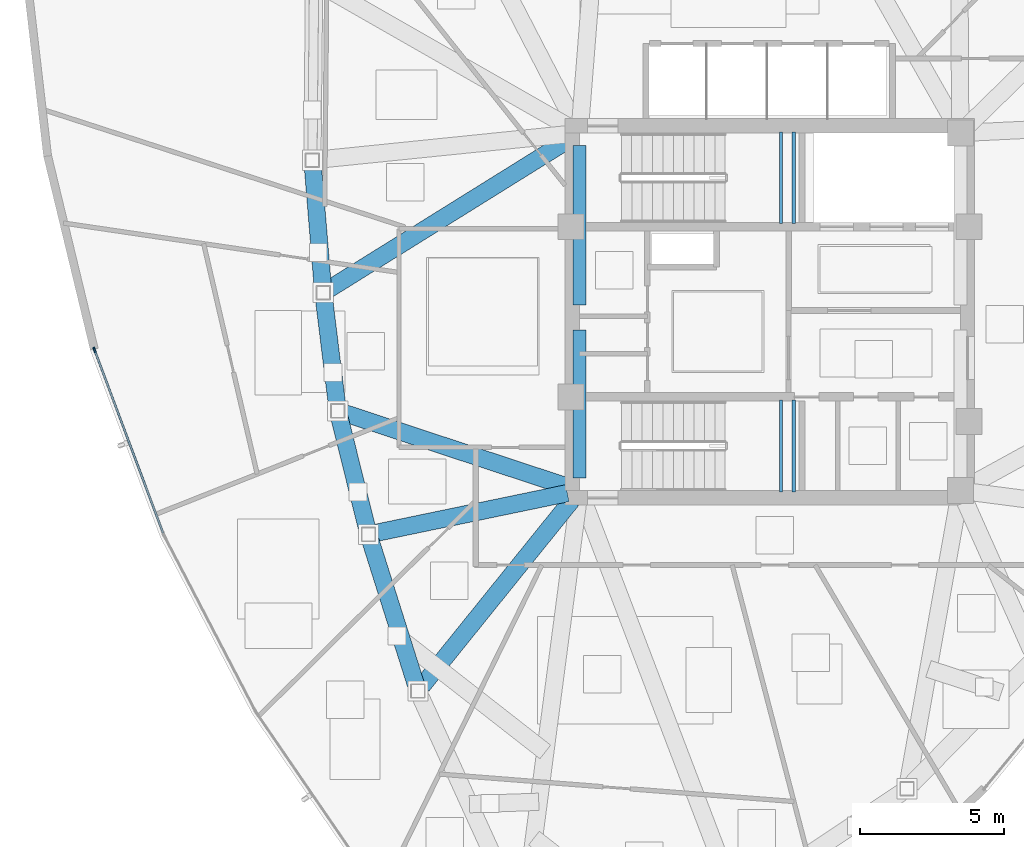
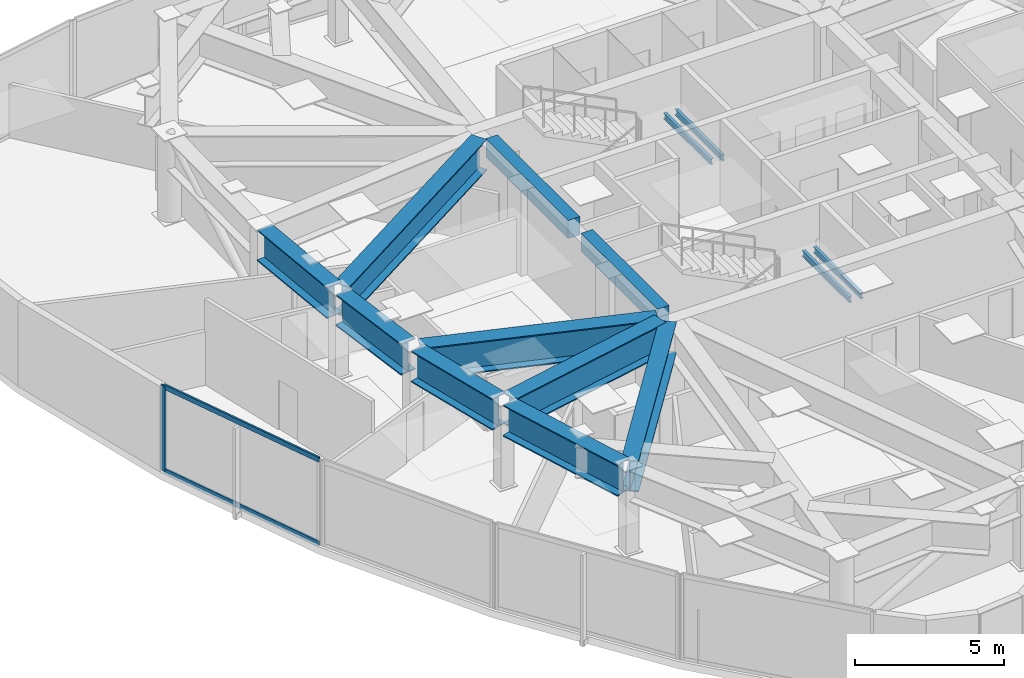
# One storey, part 3 of 13: 14 beams, 3 members, 1 element without a shape of its own.
"""IFC4 building model written with IfcOpenShell, lengths in metres."""

from ifc_helpers import new_model, si_unit, direction, frame, origin, origin_2d, place, context, subcontext, project, spatial, rectangle, hollow_rectangle, i_section, extrude, source, transform, mapped, material, layer, layer_set, material_profile, profile_set, type_object, type_shapes, element, aggregate, save


model = new_model("IFC4")

# Units and contexts
model_context = context("Model", 3, precision=1e-05, world=origin(), true_north=direction((0.0, 1.0)))
body_context = subcontext(model_context, "Body", "Model", "MODEL_VIEW")
ifc_project = project(units=[si_unit("LENGTHUNIT", "METRE"), si_unit("AREAUNIT", "SQUARE_METRE"), si_unit("VOLUMEUNIT", "CUBIC_METRE"), si_unit("PLANEANGLEUNIT", "RADIAN"), si_unit("MASSUNIT", "GRAM", prefix="KILO")], contexts=[model_context])

# Site, building, storey
site_placement = place(None, origin())
site = spatial("IfcSite", under=ifc_project, at=site_placement, CompositionType="ELEMENT")
building_placement = place(site_placement, origin())
building = spatial("IfcBuilding", under=site, at=building_placement, Name="Tavelor Broadcast Tower", CompositionType="ELEMENT")
storey_placement = place(building_placement, frame((0.0, 0.0, 269.550048828125)))
storey = spatial("IfcBuildingStorey", under=building, at=storey_placement, Name="L64", CompositionType="ELEMENT", Elevation=269.550048828125)

# Beams
ifc_material_1 = material(Name="Concrete C40/50", Category="concrete")
ifc_material_profile_1 = material_profile(ifc_material_1, rectangle(XDim=0.449951171875, YDim=0.75, at=origin_2d()), Name="RC 450x750")
ifc_profile_set_1 = profile_set([ifc_material_profile_1], Name="Concrete C40/50")
beam_type_1 = type_object("IfcBeamType", Name="Basement Core Trim Beam 450x750", PredefinedType="BEAM", material=ifc_profile_set_1)
beam_1_placement = place(storey_placement, frame((43.39990234375, 45.23193359375, 3.125), z_axis=(0.0, 1.0, 0.0), x_axis=(-1.0, 0.0, 0.0)))
element("IfcBeam", 1, at=beam_1_placement, inside=storey, type_object=beam_type_1, Name="L64 Core West-N Tie Girder", PredefinedType="BEAM", context=body_context, shape_type="SweptSolid", body=[
    extrude(rectangle(XDim=0.449951171875, YDim=0.75, at=origin_2d()), origin(), (0.0, 0.0, 1.0), 5.5361328125),
])
beam_2_placement = place(storey_placement, frame((43.39990234375, 39.23193359375, 3.125), z_axis=(0.0, 1.0, 0.0), x_axis=(-1.0, 0.0, 0.0)))
element("IfcBeam", 2, at=beam_2_placement, inside=storey, type_object=beam_type_1, Name="L64 Core West-S Tie Girder", PredefinedType="BEAM", context=body_context, shape_type="SweptSolid", body=[
    extrude(rectangle(XDim=0.449951171875, YDim=0.75, at=origin_2d()), origin(), (0.0, 0.0, 1.0), 5.135986328125),
])
ifc_material_2 = material(Name="Steel S355", Category="steel")
ifc_material_profile_2 = material_profile(ifc_material_2, i_section(OverallWidth=0.1201171875, OverallDepth=0.239990234375, WebThickness=0.006103515625, FlangeThickness=0.009765625, at=origin_2d()), Name="IPE 240")
ifc_profile_set_2 = profile_set([ifc_material_profile_2], Name="Steel S355")
beam_type_2 = type_object("IfcBeamType", Name="Stairwell Landing Support Trimmer Beam IPE240", PredefinedType="BEAM", material=ifc_profile_set_2)
for number, where, z_axis, x_axis, name in (
    (3, (50.385009765625, 48.06005859375, 1.659912109375), (0.0, 1.0, 0.0), (-1.0, 0.0, 0.0), "L64 Stair Landing Support Beam 169"),
    (4, (50.824951171875, 48.06005859375, 1.659912109375), (0.0, 1.0, 0.0), (-1.0, 0.0, 0.0), "L64 Stair Landing Support Beam 170"),
    (5, (50.385009765625, 38.760009765625, 1.659912109375), (0.0, 1.0, 0.0), (-1.0, 0.0, 0.0), "L64 Stair Landing Support Beam 383"),
    (6, (50.824951171875, 38.760009765625, 1.659912109375), (0.0, 1.0, 0.0), (-1.0, 0.0, 0.0), "L64 Stair Landing Support Beam 384"),
):
    element("IfcBeam", number, at=place(storey_placement, frame(where, z_axis=z_axis, x_axis=x_axis)), inside=storey, type_object=beam_type_2, Name=name, PredefinedType="BEAM", context=body_context, shape_type="SweptSolid", body=[
        extrude(i_section(OverallWidth=0.1201171875, OverallDepth=0.239990234375, WebThickness=0.006103515625, FlangeThickness=0.009765625, at=origin_2d()), origin(), (0.0, 0.0, 1.0), 3.179931640625),
    ])
ifc_material_3 = material(Name="Steel S460", Category="steel")
ifc_material_profile_3 = material_profile(ifc_material_3, i_section(OverallWidth=0.60009765625, OverallDepth=1.280029296875, WebThickness=0.02587890625, FlangeThickness=0.044921875, at=origin_2d()), Name="PG 1280x600")
ifc_profile_set_3 = profile_set([ifc_material_profile_3], Name="Steel S460")
beam_type_3 = type_object("IfcBeamType", Name="Upper Setback Transfer Girder PG1350", PredefinedType="BEAM", material=ifc_profile_set_3)
beam_3_placement = place(storey_placement, frame((34.15673828125, 50.0166015625, 2.85986328125), z_axis=(0.081762604382, -0.996651833152, 0.0), x_axis=(0.996651833152, 0.081762604382, 0.0)))
element("IfcBeam", 7, at=beam_3_placement, inside=storey, type_object=beam_type_3, Name="L64 Framed-Tube Ring Spandrel 02", PredefinedType="BEAM", context=body_context, shape_type="SweptSolid", body=[
    extrude(i_section(OverallWidth=0.60009765625, OverallDepth=1.280029296875, WebThickness=0.02587890625, FlangeThickness=0.044921875, at=origin_2d()), origin(), (0.0, 0.0, 1.0), 4.126708984375),
])
beam_4_placement = place(storey_placement, frame((34.54296875, 45.42626953125, 2.85986328125), z_axis=(0.122281853392, -0.992495414766, 0.0), x_axis=(0.992495414766, 0.122281853392, 0.0)))
element("IfcBeam", 8, at=beam_4_placement, inside=storey, type_object=beam_type_3, Name="L64 Framed-Tube Ring Spandrel 03", PredefinedType="BEAM", context=body_context, shape_type="SweptSolid", body=[
    extrude(i_section(OverallWidth=0.60009765625, OverallDepth=1.280029296875, WebThickness=0.02587890625, FlangeThickness=0.044921875, at=origin_2d()), origin(), (0.0, 0.0, 1.0), 3.651611328125),
])
beam_5_placement = place(storey_placement, frame((35.076904296875, 41.3310546875, 2.85986328125), z_axis=(0.241279026366, -0.97045578541, 0.0), x_axis=(0.97045578541, 0.241279026366, 0.0)))
element("IfcBeam", 9, at=beam_5_placement, inside=storey, type_object=beam_type_3, Name="L64 Framed-Tube Ring Spandrel 04", PredefinedType="BEAM", context=body_context, shape_type="SweptSolid", body=[
    extrude(i_section(OverallWidth=0.60009765625, OverallDepth=1.280029296875, WebThickness=0.02587890625, FlangeThickness=0.044921875, at=origin_2d()), origin(), (0.0, 0.0, 1.0), 3.93212890625),
])
beam_6_placement = place(storey_placement, frame((36.15576171875, 37.053466796875, 2.85986328125), z_axis=(0.300999122242, -0.953624416849, 0.0), x_axis=(0.953624416849, 0.300999122242, 0.0)))
element("IfcBeam", 10, at=beam_6_placement, inside=storey, type_object=beam_type_3, Name="L64 Framed-Tube Ring Spandrel 05", PredefinedType="BEAM", context=body_context, shape_type="SweptSolid", body=[
    extrude(i_section(OverallWidth=0.60009765625, OverallDepth=1.280029296875, WebThickness=0.02587890625, FlangeThickness=0.044921875, at=origin_2d()), origin(), (0.0, 0.0, 1.0), 5.212890625),
])
beam_7_placement = place(storey_placement, frame((43.033203125, 50.9716796875, 2.85986328125), z_axis=(-0.848789723342, -0.528730560445, 0.0), x_axis=(0.528730560445, -0.848789723342, 0.0)))
element("IfcBeam", 11, at=beam_7_placement, inside=storey, type_object=beam_type_3, Name="L64 Radial Primary Floor Girder 03", PredefinedType="BEAM", context=body_context, shape_type="SweptSolid", body=[
    extrude(i_section(OverallWidth=0.60009765625, OverallDepth=1.280029296875, WebThickness=0.02587890625, FlangeThickness=0.044921875, at=origin_2d()), origin(), (0.0, 0.0, 1.0), 9.79736328125),
])
beam_8_placement = place(storey_placement, frame((42.98974609375, 38.935302734375, 2.85986328125), z_axis=(-0.949690563793, 0.313189771613, 0.0), x_axis=(-0.313189771613, -0.949690563793, 0.0)))
element("IfcBeam", 12, at=beam_8_placement, inside=storey, type_object=beam_type_3, Name="L64 Radial Primary Floor Girder 04", PredefinedType="BEAM", context=body_context, shape_type="SweptSolid", body=[
    extrude(i_section(OverallWidth=0.60009765625, OverallDepth=1.280029296875, WebThickness=0.02587890625, FlangeThickness=0.044921875, at=origin_2d()), origin(), (0.0, 0.0, 1.0), 8.153076171875),
])
beam_9_placement = place(storey_placement, frame((42.97705078125, 38.71240234375, 2.85986328125), z_axis=(-0.979151221162, -0.203132681016, 0.0), x_axis=(0.203132681016, -0.979151221162, 0.0)))
element("IfcBeam", 13, at=beam_9_placement, inside=storey, type_object=beam_type_3, Name="L64 Radial Primary Floor Girder 05", PredefinedType="BEAM", context=body_context, shape_type="SweptSolid", body=[
    extrude(i_section(OverallWidth=0.60009765625, OverallDepth=1.280029296875, WebThickness=0.02587890625, FlangeThickness=0.044921875, at=origin_2d()), origin(), (0.0, 0.0, 1.0), 6.80029296875),
])
beam_10_placement = place(storey_placement, frame((43.12890625, 38.463623046875, 2.85986328125), z_axis=(-0.627814320215, -0.778363141042, 0.0), x_axis=(0.778363141042, -0.627814320215, 0.0)))
element("IfcBeam", 14, at=beam_10_placement, inside=storey, type_object=beam_type_3, Name="L64 Radial Primary Floor Girder 06", PredefinedType="BEAM", context=body_context, shape_type="SweptSolid", body=[
    extrude(i_section(OverallWidth=0.60009765625, OverallDepth=1.280029296875, WebThickness=0.02587890625, FlangeThickness=0.044921875, at=origin_2d()), origin(), (0.0, 0.0, 1.0), 8.252685546875),
])

# Curtain wall, members
ifc_material_4 = material(Name="Architectural Anodized Aluminium", Category="aluminium")
ifc_layer = layer(ifc_material_4, 0.199951171875)
ifc_layer_set = layer_set([ifc_layer], Name="Architectural Anodized Aluminium")
curtain_wall_type = type_object("IfcCurtainWallType", Name="Tower High-Zone Triple-Glazed Curtain Wall CW04", PredefinedType="NOTDEFINED", material=ifc_layer_set)
curtain_wall_placement = place(storey_placement, origin())
curtain_wall = element("IfcCurtainWall", 15, at=curtain_wall_placement, inside=storey, type_object=curtain_wall_type, Name="L64 Curtain Wall CW04 Run 697", PredefinedType="NOTDEFINED")
ifc_material_profile_4 = material_profile(ifc_material_4, hollow_rectangle(XDim=0.070068359375, YDim=0.199951171875, WallThickness=0.02197265625, at=origin_2d()), Name="RHS 70x200x22")
ifc_profile_set_4 = profile_set([ifc_material_profile_4], Name="Architectural Anodized Aluminium")
member_type_1 = type_object("IfcMemberType", Name="CW04 Extruded Aluminium Mullion 70x200", PredefinedType="MULLION", material=ifc_profile_set_4)
shared_shape_1 = source(origin(), body_context, "Body", "SweptSolid", [
    extrude(hollow_rectangle(XDim=0.070068359375, YDim=0.199951171875, WallThickness=0.02197265625, at=origin_2d()), origin(), (0.0, 0.0, 1.0), 3.5),
])
type_shapes(member_type_1, [shared_shape_1])
member_1_placement = place(storey_placement, frame((26.58447265625, 43.6767578125, 0.0), z_axis=(0.0, 0.0, 1.0), x_axis=(0.936517105103, 0.350621892997, 0.0)))
member_1 = element("IfcMember", 16, at=member_1_placement, type_object=member_type_1, Name="CW04 mullion 1", PredefinedType="MULLION", context=body_context, shape_type="MappedRepresentation", body=[
    mapped(shared_shape_1, transform((0.0, 0.0, 0.0), scale=1.0)),
])
ifc_material_profile_5 = material_profile(ifc_material_4, hollow_rectangle(XDim=0.070068359375, YDim=0.199951171875, WallThickness=0.02197265625, at=origin_2d()), Name="RHS 70x200x22")
ifc_profile_set_5 = profile_set([ifc_material_profile_5], Name="Architectural Anodized Aluminium")
member_type_2 = type_object("IfcMemberType", Name="CW04 Extruded Aluminium Transom 70x200", PredefinedType="USERDEFINED", material=ifc_profile_set_5)
shared_shape_2 = source(origin(), body_context, "Body", "SweptSolid", [
    extrude(hollow_rectangle(XDim=0.070068359375, YDim=0.199951171875, WallThickness=0.02197265625, at=origin_2d()), origin(), (0.0, 0.0, 1.0), 6.74365234375),
])
type_shapes(member_type_2, [shared_shape_2])
member_2_placement = place(storey_placement, frame((26.5966796875, 43.64404296875, 0.034912109375), z_axis=(0.350631421536, -0.936513537666, 0.0), x_axis=(0.936513537666, 0.350631421536, 0.0)))
member_2 = element("IfcMember", 17, at=member_2_placement, type_object=member_type_2, Name="CW04 transom 1.1", ObjectType="TRANSOM", PredefinedType="USERDEFINED", context=body_context, shape_type="MappedRepresentation", body=[
    mapped(shared_shape_2, transform((0.0, 0.0, 0.0), scale=1.0)),
])
member_3_placement = place(storey_placement, frame((26.5966796875, 43.64404296875, 3.46484375), z_axis=(0.350631421536, -0.936513537666, 0.0), x_axis=(0.936513537666, 0.350631421536, 0.0)))
member_3 = element("IfcMember", 18, at=member_3_placement, type_object=member_type_2, Name="CW04 transom 1.2", ObjectType="TRANSOM", PredefinedType="USERDEFINED", context=body_context, shape_type="MappedRepresentation", body=[
    mapped(shared_shape_2, transform((0.0, 0.0, 0.0), scale=1.0)),
])
aggregate(curtain_wall, [member_1, member_2, member_3])

save(model, "model.ifc")
